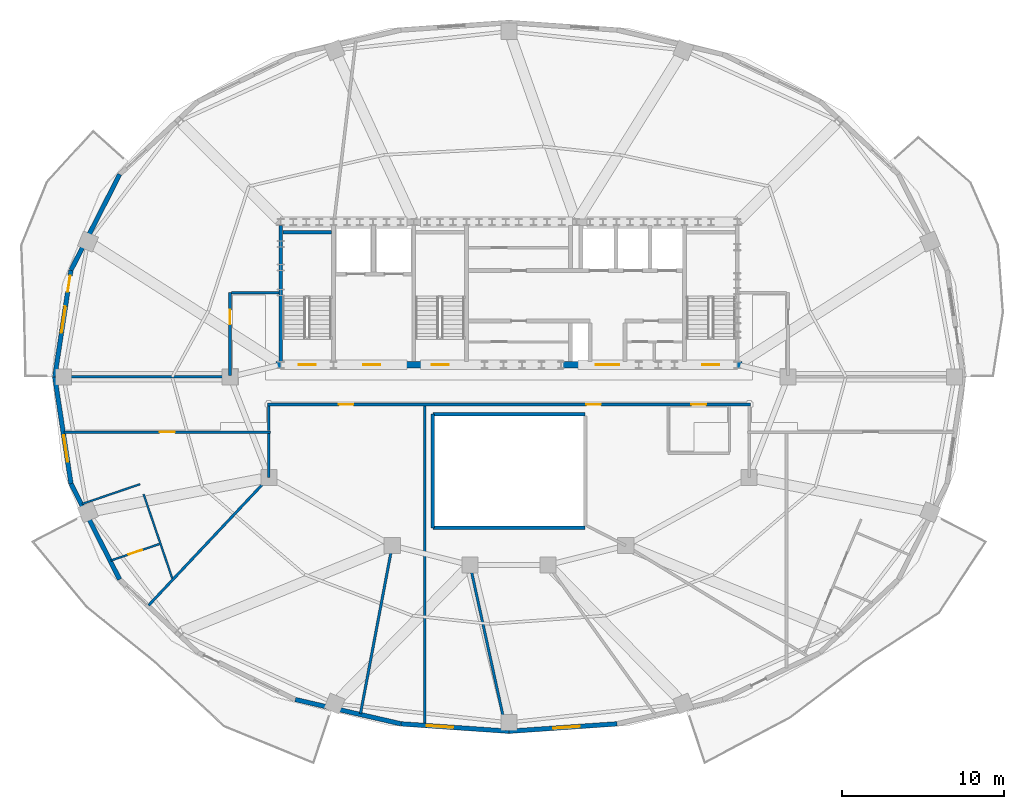
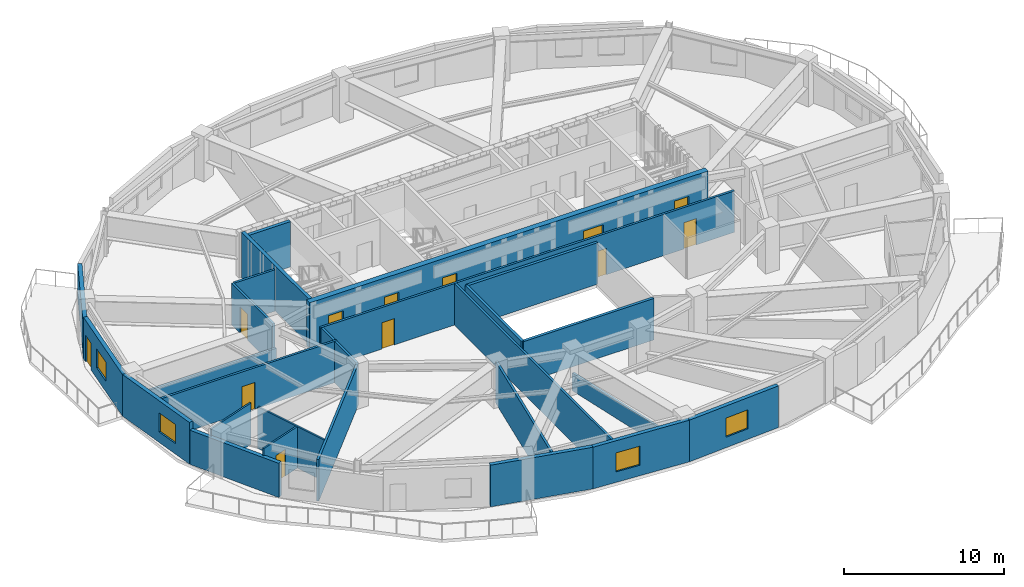
# One storey, part 4 of 12: 27 walls, 12 doors, 4 windows, 16 openings.
"""IFC4 building model written with IfcOpenShell, lengths in metres."""

from ifc_helpers import new_model, si_unit, direction, frame, frame_2d, origin, place, context, subcontext, project, spatial, rectangle, extrude, material, layer, layer_set, type_object, element, fill, save


model = new_model("IFC4")

# Units and contexts
model_context = context("Model", 3, precision=1e-05, world=origin(), true_north=direction((0.0, 1.0)))
body_context = subcontext(model_context, "Body", "Model", "MODEL_VIEW")
ifc_project = project(units=[si_unit("LENGTHUNIT", "METRE"), si_unit("AREAUNIT", "SQUARE_METRE"), si_unit("VOLUMEUNIT", "CUBIC_METRE"), si_unit("PLANEANGLEUNIT", "RADIAN"), si_unit("MASSUNIT", "GRAM", prefix="KILO")], contexts=[model_context])

# Site, building, storey
site_placement = place(None, origin())
site = spatial("IfcSite", under=ifc_project, at=site_placement, CompositionType="ELEMENT")
building_placement = place(site_placement, origin())
building = spatial("IfcBuilding", under=site, at=building_placement, Name="Haldorwick Loom Tower", CompositionType="ELEMENT")
storey_placement = place(building_placement, frame((0.0, 0.0, 237.449951171875)))
storey = spatial("IfcBuildingStorey", under=building, at=storey_placement, Name="L64", CompositionType="ELEMENT", Elevation=237.449951171875)

# Wall
ifc_material_1 = material(Name="Pressed Clay Face Brick and Insulated Masonry Backup Assembly", Category="masonry")
ifc_layer_1 = layer(ifc_material_1, 0.280029296875, Name="Pressed Clay Face Brick and Insulated Masonry Backup Assembly", Category="masonry")
ifc_layer_set_1 = layer_set([ifc_layer_1], Name="Pressed Clay Face Brick and Insulated Masonry Backup Assembly")
wall_type_1 = type_object("IfcWallType", Name="ARC-WL-EXT280", PredefinedType="STANDARD", material=ifc_layer_set_1)
wall_1_placement = place(storey_placement, frame((11.994384765625, 38.4853515625, 0.0), z_axis=(0.0, 0.0, 1.0), x_axis=(-0.453032066879, -0.89149422117, 0.0)))
element("IfcWall", 1, at=wall_1_placement, inside=storey, type_object=wall_type_1, Name="L64 Brick Pier and Spandrel Wall 11", PredefinedType="STANDARD", context=body_context, shape_type="SweptSolid", body=[
    extrude(rectangle(XDim=6.618896484375, YDim=0.280029296875, at=frame_2d((3.3095703125, 0.0))), origin(), (0.0, 0.0, 1.0), 2.60107421875),
])

# Wall, openings, door, window
wall_2_placement = place(storey_placement, frame((8.995849609375, 32.584716796875, 0.0), z_axis=(0.0, 0.0, 1.0), x_axis=(-0.150467697578, -0.988614926038, 0.0)))
wall_2 = element("IfcWall", 2, at=wall_2_placement, inside=storey, type_object=wall_type_1, Name="L64 Brick Pier and Spandrel Wall 12", PredefinedType="STANDARD", context=body_context, shape_type="SweptSolid", body=[
    extrude(rectangle(XDim=6.66064453125, YDim=0.280029296875, at=frame_2d((3.330322265625, 0.0))), origin(), (0.0, 0.0, 1.0), 3.170166015625),
])
opening_1_placement = place(wall_2_placement, frame((0.340087890625, 0.0, 0.0)))
opening_1 = element("IfcOpeningElement", 3, at=opening_1_placement, cuts=wall_2, Name="Opening D-BL10", PredefinedType="OPENING", context=body_context, shape_type="SweptSolid", body=[
    extrude(rectangle(XDim=1.0, YDim=2.0400390625, at=frame_2d((0.5, 1.02001953125))), frame((0.0, 0.14990234375, 0.0), z_axis=(0.0, -1.0, 0.0), x_axis=(1.0, 0.0, 0.0)), (0.0, 0.0, 1.0), 0.300048828125),
])
opening_2_placement = place(wall_2_placement, frame((2.2646484375, 0.0, 0.800048828125)))
opening_2 = element("IfcOpeningElement", 4, at=opening_2_placement, cuts=wall_2, Name="Opening W-01B", PredefinedType="OPENING", context=body_context, shape_type="SweptSolid", body=[
    extrude(rectangle(XDim=1.64990234375, YDim=1.449951171875, at=frame_2d((0.824951171875, 0.72509765625))), frame((0.0, 0.14990234375, 0.0), z_axis=(0.0, -1.0, 0.0), x_axis=(1.0, 0.0, 0.0)), (0.0, 0.0, 1.0), 0.300048828125),
])
ifc_material_2 = material(Name="Thermally Broken Anodized Aluminium Curtain Wall Framing", Category="aluminium")
door_type_1 = type_object("IfcDoorType", Name="ARC-DR-BAL100", OperationType="NOTDEFINED", PredefinedType="DOOR", material=ifc_material_2)
door_1_placement = place(opening_1_placement, origin())
door_1 = element("IfcDoor", 5, at=door_1_placement, inside=storey, type_object=door_type_1, Name="L64 Outdoor Terrace Door SLB-L64-BAL_WNW", OperationType="SINGLE_SWING_RIGHT", OverallHeight=2.0400390625, OverallWidth=1.0, PredefinedType="DOOR", context=body_context, shape_type="SweptSolid", body=[
    extrude(rectangle(XDim=1.0, YDim=2.0400390625, at=frame_2d((0.5, 1.02001953125))), frame((0.0, 0.02490234375, 0.0), z_axis=(0.0, -1.0, 0.0), x_axis=(1.0, 0.0, 0.0)), (0.0, 0.0, 1.0), 0.050048828125),
])
fill(opening_1, door_1)
ifc_material_3 = material(Name="Triple-Glazed Low-E Argon Insulated Glazing Unit", Category="glass")
window_type = type_object("IfcWindowType", Name="ARC-WIN-W165", PartitioningType="SINGLE_PANEL", PredefinedType="WINDOW", material=ifc_material_3)
window_1_placement = place(opening_2_placement, origin())
window_1 = element("IfcWindow", 6, at=window_1_placement, inside=storey, type_object=window_type, Name="L64 Deep-Set Zone 7A Window 12", OverallHeight=1.449951171875, OverallWidth=1.64990234375, PartitioningType="SINGLE_PANEL", PredefinedType="WINDOW", context=body_context, shape_type="SweptSolid", body=[
    extrude(rectangle(XDim=1.64990234375, YDim=1.449951171875, at=frame_2d((0.824951171875, 0.72509765625))), frame((0.0, 0.030029296875, 0.0), z_axis=(0.0, -1.0, 0.0), x_axis=(1.0, 0.0, 0.0)), (0.0, 0.0, 1.0), 0.06005859375),
])
fill(opening_2, window_1)

# Wall, opening, window
wall_3_placement = place(storey_placement, frame((7.99365234375, 26.0, 0.0), z_axis=(0.0, 0.0, 1.0), x_axis=(0.150467697578, -0.988614926038, 0.0)))
wall_3 = element("IfcWall", 7, at=wall_3_placement, inside=storey, type_object=wall_type_1, Name="L64 Brick Pier and Spandrel Wall 13", PredefinedType="STANDARD", context=body_context, shape_type="SweptSolid", body=[
    extrude(rectangle(XDim=6.66064453125, YDim=0.280029296875, at=frame_2d((3.330322265625, 0.0))), origin(), (0.0, 0.0, 1.0), 3.170166015625),
])
opening_3_placement = place(wall_3_placement, frame((3.648193359375, 0.0, 0.800048828125)))
opening_3 = element("IfcOpeningElement", 8, at=opening_3_placement, cuts=wall_3, Name="Opening W-01B", PredefinedType="OPENING", context=body_context, shape_type="SweptSolid", body=[
    extrude(rectangle(XDim=1.64990234375, YDim=1.449951171875, at=frame_2d((0.824951171875, 0.72509765625))), frame((0.0, 0.14990234375, 0.0), z_axis=(0.0, -1.0, 0.0), x_axis=(1.0, 0.0, 0.0)), (0.0, 0.0, 1.0), 0.300048828125),
])
window_2_placement = place(opening_3_placement, origin())
window_2 = element("IfcWindow", 9, at=window_2_placement, inside=storey, type_object=window_type, Name="L64 Deep-Set Zone 7A Window 13", OverallHeight=1.449951171875, OverallWidth=1.64990234375, PartitioningType="SINGLE_PANEL", PredefinedType="WINDOW", context=body_context, shape_type="SweptSolid", body=[
    extrude(rectangle(XDim=1.64990234375, YDim=1.449951171875, at=frame_2d((0.824951171875, 0.72509765625))), frame((0.0, 0.030029296875, 0.0), z_axis=(0.0, -1.0, 0.0), x_axis=(1.0, 0.0, 0.0)), (0.0, 0.0, 1.0), 0.06005859375),
])
fill(opening_3, window_2)

# Walls
wall_4_placement = place(storey_placement, frame((8.995849609375, 19.415283203125, 0.0), z_axis=(0.0, 0.0, 1.0), x_axis=(0.453032066879, -0.89149422117, 0.0)))
element("IfcWall", 10, at=wall_4_placement, inside=storey, type_object=wall_type_1, Name="L64 Brick Pier and Spandrel Wall 14", PredefinedType="STANDARD", context=body_context, shape_type="SweptSolid", body=[
    extrude(rectangle(XDim=6.618896484375, YDim=0.280029296875, at=frame_2d((3.3095703125, 0.0))), origin(), (0.0, 0.0, 1.0), 2.60107421875),
])
wall_5_placement = place(storey_placement, frame((22.82861328125, 6.109130859375, 0.0), z_axis=(0.0, 0.0, 1.0), x_axis=(0.974557343474, -0.224138315065, 0.0)))
element("IfcWall", 11, at=wall_5_placement, inside=storey, type_object=wall_type_1, Name="L64 Brick Pier and Spandrel Wall 17", PredefinedType="STANDARD", context=body_context, shape_type="SweptSolid", body=[
    extrude(rectangle(XDim=6.676025390625, YDim=0.280029296875, at=frame_2d((3.337890625, 0.0))), origin(), (0.0, 0.0, 1.0), 3.170166015625),
])

# Wall, opening, window
wall_6_placement = place(storey_placement, frame((29.334716796875, 4.61279296875, 0.0), z_axis=(0.0, 0.0, 1.0), x_axis=(0.99764992135, -0.068517402386, 0.0)))
wall_6 = element("IfcWall", 12, at=wall_6_placement, inside=storey, type_object=wall_type_1, Name="L64 Brick Pier and Spandrel Wall 18", PredefinedType="STANDARD", context=body_context, shape_type="SweptSolid", body=[
    extrude(rectangle(XDim=6.680908203125, YDim=0.280029296875, at=frame_2d((3.34033203125, 0.0))), origin(), (0.0, 0.0, 1.0), 3.170166015625),
])
opening_4_placement = place(wall_6_placement, frame((1.591796875, 0.0, 0.800048828125)))
opening_4 = element("IfcOpeningElement", 13, at=opening_4_placement, cuts=wall_6, Name="Opening W-01B", PredefinedType="OPENING", context=body_context, shape_type="SweptSolid", body=[
    extrude(rectangle(XDim=1.64990234375, YDim=1.449951171875, at=frame_2d((0.824951171875, 0.72509765625))), frame((0.0, 0.14990234375, 0.0), z_axis=(0.0, -1.0, 0.0), x_axis=(1.0, 0.0, 0.0)), (0.0, 0.0, 1.0), 0.300048828125),
])
window_3_placement = place(opening_4_placement, origin())
window_3 = element("IfcWindow", 14, at=window_3_placement, inside=storey, type_object=window_type, Name="L64 Deep-Set Zone 7A Window 18", OverallHeight=1.449951171875, OverallWidth=1.64990234375, PartitioningType="SINGLE_PANEL", PredefinedType="WINDOW", context=body_context, shape_type="SweptSolid", body=[
    extrude(rectangle(XDim=1.64990234375, YDim=1.449951171875, at=frame_2d((0.824951171875, 0.72509765625))), frame((0.0, 0.030029296875, 0.0), z_axis=(0.0, -1.0, 0.0), x_axis=(1.0, 0.0, 0.0)), (0.0, 0.0, 1.0), 0.06005859375),
])
fill(opening_4, window_3)

wall_7_placement = place(storey_placement, frame((36.0, 4.155029296875, 0.0), z_axis=(0.0, 0.0, 1.0), x_axis=(0.99764992135, 0.068517402386, 0.0)))
wall_7 = element("IfcWall", 15, at=wall_7_placement, inside=storey, type_object=wall_type_1, Name="L64 Brick Pier and Spandrel Wall 19", PredefinedType="STANDARD", context=body_context, shape_type="SweptSolid", body=[
    extrude(rectangle(XDim=6.680908203125, YDim=0.280029296875, at=frame_2d((3.34033203125, 0.0))), origin(), (0.0, 0.0, 1.0), 3.170166015625),
])
opening_5_placement = place(wall_7_placement, frame((2.72412109375, 0.0, 0.800048828125)))
opening_5 = element("IfcOpeningElement", 16, at=opening_5_placement, cuts=wall_7, Name="Opening W-01B", PredefinedType="OPENING", context=body_context, shape_type="SweptSolid", body=[
    extrude(rectangle(XDim=1.64990234375, YDim=1.449951171875, at=frame_2d((0.824951171875, 0.72509765625))), frame((0.0, 0.14990234375, 0.0), z_axis=(0.0, -1.0, 0.0), x_axis=(1.0, 0.0, 0.0)), (0.0, 0.0, 1.0), 0.300048828125),
])
window_4_placement = place(opening_5_placement, origin())
window_4 = element("IfcWindow", 17, at=window_4_placement, inside=storey, type_object=window_type, Name="L64 Deep-Set Zone 7A Window 19", OverallHeight=1.449951171875, OverallWidth=1.64990234375, PartitioningType="SINGLE_PANEL", PredefinedType="WINDOW", context=body_context, shape_type="SweptSolid", body=[
    extrude(rectangle(XDim=1.64990234375, YDim=1.449951171875, at=frame_2d((0.824951171875, 0.72509765625))), frame((0.0, 0.030029296875, 0.0), z_axis=(0.0, -1.0, 0.0), x_axis=(1.0, 0.0, 0.0)), (0.0, 0.0, 1.0), 0.06005859375),
])
fill(opening_5, window_4)

# Wall, openings, doors
ifc_material_4 = material(Name="Fire-Rated Type X Gypsum Stud Assembly EI 60")
ifc_layer_2 = layer(ifc_material_4, 0.159912109375, Name="Fire-Rated Type X Gypsum Stud Assembly EI 60")
ifc_layer_set_2 = layer_set([ifc_layer_2], Name="Fire-Rated Type X Gypsum Stud Assembly EI 60")
wall_type_2 = type_object("IfcWallType", Name="ARC-WL-FIRE160", PredefinedType="PARTITIONING", material=ifc_layer_set_2)
wall_8_placement = place(storey_placement, frame((21.10009765625, 24.300048828125, 0.0), z_axis=(0.0, 0.0, 1.0), x_axis=(1.0, 0.0, 0.0)))
wall_8 = element("IfcWall", 18, at=wall_8_placement, inside=storey, type_object=wall_type_2, Name="L64 Residential Fire Partition L64-CR-SP", PredefinedType="PARTITIONING", context=body_context, shape_type="SweptSolid", body=[
    extrude(rectangle(XDim=29.7998046875, YDim=0.159912109375, at=frame_2d((14.89990234375, 0.0))), origin(), (0.0, 0.0, 1.0), 3.155029296875),
])
opening_6_placement = place(wall_8_placement, frame((19.66748046875, 0.0, 0.0)))
opening_6 = element("IfcOpeningElement", 19, at=opening_6_placement, cuts=wall_8, Name="Opening D-FD60A", PredefinedType="OPENING", context=body_context, shape_type="SweptSolid", body=[
    extrude(rectangle(XDim=0.89990234375, YDim=2.0, at=frame_2d((0.449951171875, 1.0))), frame((0.0, 0.08984375, 0.0), z_axis=(0.0, -1.0, 0.0), x_axis=(1.0, 0.0, 0.0)), (0.0, 0.0, 1.0), 0.179931640625),
])
opening_7_placement = place(wall_8_placement, frame((4.40625, 0.0, 0.0)))
opening_7 = element("IfcOpeningElement", 20, at=opening_7_placement, cuts=wall_8, Name="Opening D-FD60A", PredefinedType="OPENING", context=body_context, shape_type="SweptSolid", body=[
    extrude(rectangle(XDim=0.89990234375, YDim=2.0, at=frame_2d((0.449951171875, 1.0))), frame((0.0, 0.08984375, 0.0), z_axis=(0.0, -1.0, 0.0), x_axis=(1.0, 0.0, 0.0)), (0.0, 0.0, 1.0), 0.179931640625),
])
opening_8_placement = place(wall_8_placement, frame((26.1494140625, 0.0, 0.0)))
opening_8 = element("IfcOpeningElement", 21, at=opening_8_placement, cuts=wall_8, Name="Opening D-FD60A", PredefinedType="OPENING", context=body_context, shape_type="SweptSolid", body=[
    extrude(rectangle(XDim=0.89990234375, YDim=2.0, at=frame_2d((0.449951171875, 1.0))), frame((0.0, 0.08984375, 0.0), z_axis=(0.0, -1.0, 0.0), x_axis=(1.0, 0.0, 0.0)), (0.0, 0.0, 1.0), 0.179931640625),
])
ifc_material_5 = material(Name="Hollow Steel Fire Door Assembly", Category="steel")
door_type_2 = type_object("IfcDoorType", Name="ARC-DR-FD60-90", OperationType="NOTDEFINED", PredefinedType="DOOR", material=ifc_material_5)
door_2_placement = place(opening_6_placement, origin())
door_2 = element("IfcDoor", 22, at=door_2_placement, inside=storey, type_object=door_type_2, Name="L64 L64 Central Residential Corridor to Shared Resident Dining Hall 5 Do", OperationType="SINGLE_SWING_LEFT", OverallHeight=2.0, OverallWidth=0.89990234375, PredefinedType="DOOR", context=body_context, shape_type="SweptSolid", body=[
    extrude(rectangle(XDim=0.89990234375, YDim=2.0, at=frame_2d((0.449951171875, 1.0))), frame((0.0, 0.02490234375, 0.0), z_axis=(0.0, -1.0, 0.0), x_axis=(1.0, 0.0, 0.0)), (0.0, 0.0, 1.0), 0.050048828125),
])
fill(opening_6, door_2)
door_3_placement = place(opening_7_placement, origin())
door_3 = element("IfcDoor", 23, at=door_3_placement, inside=storey, type_object=door_type_2, Name="L64 L64 Central Residential Corridor to Shared Resident Dining Hall 1 Do", OperationType="SINGLE_SWING_RIGHT", OverallHeight=2.0, OverallWidth=0.89990234375, PredefinedType="DOOR", context=body_context, shape_type="SweptSolid", body=[
    extrude(rectangle(XDim=0.89990234375, YDim=2.0, at=frame_2d((0.449951171875, 1.0))), frame((0.0, 0.02490234375, 0.0), z_axis=(0.0, -1.0, 0.0), x_axis=(1.0, 0.0, 0.0)), (0.0, 0.0, 1.0), 0.050048828125),
])
fill(opening_7, door_3)
door_4_placement = place(opening_8_placement, origin())
door_4 = element("IfcDoor", 24, at=door_4_placement, inside=storey, type_object=door_type_2, Name="L64 L64 Central Residential Corridor to Common Accessible WC Door", OperationType="SINGLE_SWING_RIGHT", OverallHeight=2.0, OverallWidth=0.89990234375, PredefinedType="DOOR", context=body_context, shape_type="SweptSolid", body=[
    extrude(rectangle(XDim=0.89990234375, YDim=2.0, at=frame_2d((0.449951171875, 1.0))), frame((0.0, 0.02490234375, 0.0), z_axis=(0.0, -1.0, 0.0), x_axis=(1.0, 0.0, 0.0)), (0.0, 0.0, 1.0), 0.050048828125),
])
fill(opening_8, door_4)

# Wall, opening, door
wall_9_placement = place(storey_placement, frame((8.556640625, 22.60009765625, 0.0), z_axis=(0.0, 0.0, 1.0), x_axis=(1.0, 0.0, 0.0)))
wall_9 = element("IfcWall", 25, at=wall_9_placement, inside=storey, type_object=wall_type_2, Name="L64 Residential Fire Partition L64-CR-SPW", PredefinedType="PARTITIONING", context=body_context, shape_type="SweptSolid", body=[
    extrude(rectangle(XDim=12.743408203125, YDim=0.159912109375, at=frame_2d((6.37158203125, 0.0))), origin(), (0.0, 0.0, 1.0), 3.155029296875),
])
opening_9_placement = place(wall_9_placement, frame((5.896728515625, 0.0, 0.0)))
opening_9 = element("IfcOpeningElement", 26, at=opening_9_placement, cuts=wall_9, Name="Opening D-FL95", PredefinedType="OPENING", context=body_context, shape_type="SweptSolid", body=[
    extrude(rectangle(XDim=0.949951171875, YDim=2.0400390625, at=frame_2d((0.47509765625, 1.02001953125))), frame((0.0, 0.08984375, 0.0), z_axis=(0.0, -1.0, 0.0), x_axis=(1.0, 0.0, 0.0)), (0.0, 0.0, 1.0), 0.179931640625),
])
ifc_material_6 = material(Name="Solid Core Birch Architectural Door")
door_type_3 = type_object("IfcDoorType", Name="ARC-DR-FLAT95", OperationType="NOTDEFINED", PredefinedType="DOOR", material=ifc_material_6)
door_5_placement = place(opening_9_placement, origin())
door_5 = element("IfcDoor", 27, at=door_5_placement, inside=storey, type_object=door_type_3, Name="L64 L64 Central Residential Corridor to Unit 64A Kitchen and Studio Livi", OperationType="SINGLE_SWING_RIGHT", OverallHeight=2.0400390625, OverallWidth=0.949951171875, PredefinedType="DOOR", context=body_context, shape_type="SweptSolid", body=[
    extrude(rectangle(XDim=0.949951171875, YDim=2.0400390625, at=frame_2d((0.47509765625, 1.02001953125))), frame((0.0, 0.02490234375, 0.0), z_axis=(0.0, -1.0, 0.0), x_axis=(1.0, 0.0, 0.0)), (0.0, 0.0, 1.0), 0.050048828125),
])
fill(opening_9, door_5)

# Walls
wall_10_placement = place(storey_placement, frame((21.199951171875, 22.68310546875, 0.0), z_axis=(0.0, 0.0, 1.0), x_axis=(0.0, 1.0, 0.0)))
element("IfcWall", 28, at=wall_10_placement, inside=storey, type_object=wall_type_2, Name="L64 Residential Fire Partition L64-CR-STW", PredefinedType="PARTITIONING", context=body_context, shape_type="SweptSolid", body=[
    extrude(rectangle(XDim=1.533935546875, YDim=0.159912109375, at=frame_2d((0.76708984375, 0.0))), origin(), (0.0, 0.0, 1.0), 3.155029296875),
])
wall_11_placement = place(storey_placement, frame((8.0400390625, 26.0, 0.0), z_axis=(0.0, 0.0, 1.0), x_axis=(1.0, 0.0, 0.0)))
element("IfcWall", 29, at=wall_11_placement, inside=storey, type_object=wall_type_2, Name="L64 Residential Fire Partition L64-CR-NWL", PredefinedType="PARTITIONING", context=body_context, shape_type="SweptSolid", body=[
    extrude(rectangle(XDim=10.85986328125, YDim=0.159912109375, at=frame_2d((5.429931640625, 0.0))), origin(), (0.0, 0.0, 1.0), 1.344970703125),
])

# Wall, opening, door
wall_12_placement = place(storey_placement, frame((18.800048828125, 26.0830078125, 0.0), z_axis=(0.0, 0.0, 1.0), x_axis=(0.0, 1.0, 0.0)))
wall_12 = element("IfcWall", 30, at=wall_12_placement, inside=storey, type_object=wall_type_2, Name="L64 Residential Fire Partition L64-CR-W0", PredefinedType="PARTITIONING", context=body_context, shape_type="SweptSolid", body=[
    extrude(rectangle(XDim=5.116943359375, YDim=0.159912109375, at=frame_2d((2.55859375, 0.0))), origin(), (0.0, 0.0, 1.0), 3.155029296875),
])
opening_10_placement = place(wall_12_placement, frame((3.15771484375, 0.0, 0.0)))
opening_10 = element("IfcOpeningElement", 31, at=opening_10_placement, cuts=wall_12, Name="Opening D-FD60A", PredefinedType="OPENING", context=body_context, shape_type="SweptSolid", body=[
    extrude(rectangle(XDim=0.89990234375, YDim=2.0, at=frame_2d((0.449951171875, 1.0))), frame((0.0, 0.08984375, 0.0), z_axis=(0.0, -1.0, 0.0), x_axis=(1.0, 0.0, 0.0)), (0.0, 0.0, 1.0), 0.179931640625),
])
door_6_placement = place(opening_10_placement, frame((0.89990234375, 0.0, 0.0), z_axis=(0.0, 0.0, 1.0), x_axis=(-1.0, 0.0, 0.0)))
door_6 = element("IfcDoor", 32, at=door_6_placement, inside=storey, type_object=door_type_2, Name="L64 Shared Resident Dining Hall 3 to L64 Central Residential Corridor Do", OperationType="SINGLE_SWING_LEFT", OverallHeight=2.0, OverallWidth=0.89990234375, PredefinedType="DOOR", context=body_context, shape_type="SweptSolid", body=[
    extrude(rectangle(XDim=0.89990234375, YDim=2.0, at=frame_2d((0.449951171875, 1.0))), frame((0.0, 0.02490234375, 0.0), z_axis=(0.0, -1.0, 0.0), x_axis=(1.0, 0.0, 0.0)), (0.0, 0.0, 1.0), 0.050048828125),
])
fill(opening_10, door_6)

# Walls
wall_13_placement = place(storey_placement, frame((18.883056640625, 31.199951171875, 0.0), z_axis=(0.0, 0.0, 1.0), x_axis=(1.0, 0.0, 0.0)))
element("IfcWall", 33, at=wall_13_placement, inside=storey, type_object=wall_type_2, Name="L64 Residential Fire Partition L64-CR-WNJ", PredefinedType="PARTITIONING", context=body_context, shape_type="SweptSolid", body=[
    extrude(rectangle(XDim=2.923828125, YDim=0.159912109375, at=frame_2d((1.4619140625, 0.0))), origin(), (0.0, 0.0, 1.0), 3.155029296875),
])
wall_14_placement = place(storey_placement, frame((33.60009765625, 14.39990234375, 0.0), z_axis=(0.0, 0.0, 1.0), x_axis=(0.213200395835, -0.977008490862, 0.0)))
element("IfcWall", 34, at=wall_14_placement, inside=storey, type_object=wall_type_2, Name="L64 Residential Fire Partition L64-ICR-07", PredefinedType="PARTITIONING", context=body_context, shape_type="SweptSolid", body=[
    extrude(rectangle(XDim=10.427490234375, YDim=0.159912109375, at=frame_2d((5.2138671875, 0.0))), origin(), (0.0, 0.0, 1.0), 1.344970703125),
])
wall_15_placement = place(storey_placement, frame((28.800048828125, 15.60009765625, 0.0), z_axis=(0.0, 0.0, 1.0), x_axis=(-0.185598830939, -0.982625602126, 0.0)))
element("IfcWall", 35, at=wall_15_placement, inside=storey, type_object=wall_type_2, Name="L64 Residential Fire Partition L64-ICR-09", PredefinedType="PARTITIONING", context=body_context, shape_type="SweptSolid", body=[
    extrude(rectangle(XDim=10.551025390625, YDim=0.159912109375, at=frame_2d((5.275390625, 0.0))), origin(), (0.0, 0.0, 1.0), 3.155029296875),
])
wall_16_placement = place(storey_placement, frame((21.199951171875, 19.800048828125, 0.0), z_axis=(0.0, 0.0, 1.0), x_axis=(-0.685433615375, -0.728135124076, 0.0)))
element("IfcWall", 36, at=wall_16_placement, inside=storey, type_object=wall_type_2, Name="L64 Residential Fire Partition L64-ICR-11", PredefinedType="PARTITIONING", context=body_context, shape_type="SweptSolid", body=[
    extrude(rectangle(XDim=10.82861328125, YDim=0.159912109375, at=frame_2d((5.414306640625, 0.0))), origin(), (0.0, 0.0, 1.0), 3.155029296875),
])
wall_17_placement = place(storey_placement, frame((30.800048828125, 4.557373046875, 0.0), z_axis=(0.0, 0.0, 1.0), x_axis=(0.0, 1.0, 0.0)))
element("IfcWall", 37, at=wall_17_placement, inside=storey, type_object=wall_type_2, Name="L64 Residential Fire Partition L64-SBP-0", PredefinedType="PARTITIONING", context=body_context, shape_type="SweptSolid", body=[
    extrude(rectangle(XDim=19.65966796875, YDim=0.159912109375, at=frame_2d((9.829833984375, 0.0))), origin(), (0.0, 0.0, 1.0), 3.155029296875),
])
wall_18_placement = place(storey_placement, frame((21.199951171875, 22.51708984375, 0.0), z_axis=(0.0, 0.0, 1.0), x_axis=(0.0, -1.0, 0.0)))
element("IfcWall", 38, at=wall_18_placement, inside=storey, type_object=wall_type_2, Name="L64 Residential Fire Partition L64-ICA-10", PredefinedType="PARTITIONING", context=body_context, shape_type="SweptSolid", body=[
    extrude(rectangle(XDim=2.717041015625, YDim=0.159912109375, at=frame_2d((1.3583984375, 0.0))), origin(), (0.0, 0.0, 1.0), 3.155029296875),
])
ifc_material_7 = material(Name="Fire-Rated Type X Gypsum Stud Assembly EI 120")
ifc_layer_3 = layer(ifc_material_7, 0.199951171875, Name="Fire-Rated Type X Gypsum Stud Assembly EI 120")
ifc_layer_set_3 = layer_set([ifc_layer_3], Name="Fire-Rated Type X Gypsum Stud Assembly EI 120")
wall_type_3 = type_object("IfcWallType", Name="ARC-WL-FIRE200", PredefinedType="PARTITIONING", material=ifc_layer_set_3)
for number, where, z_axis, x_axis, name in (
    (39, (31.300048828125, 23.699951171875, 0.0), (0.0, 0.0, 1.0), (1.0, 0.0, 0.0), "L64 Atrium Fire Enclosure Wall N"),
    (40, (40.699951171875, 16.699951171875, 0.0), (0.0, 0.0, 1.0), (-1.0, 0.0, 0.0), "L64 Atrium Fire Enclosure Wall S"),
):
    element("IfcWall", number, at=place(storey_placement, frame(where, z_axis=z_axis, x_axis=x_axis)), inside=storey, type_object=wall_type_3, Name=name, PredefinedType="PARTITIONING", context=body_context, shape_type="SweptSolid", body=[
        extrude(rectangle(XDim=9.39990234375, YDim=0.199951171875, at=frame_2d((4.699951171875, 0.0))), origin(), (0.0, 0.0, 1.0), 3.155029296875),
    ])
wall_19_placement = place(storey_placement, frame((31.300048828125, 16.699951171875, 0.0), z_axis=(0.0, 0.0, 1.0), x_axis=(0.0, 1.0, 0.0)))
element("IfcWall", 41, at=wall_19_placement, inside=storey, type_object=wall_type_3, Name="L64 Atrium Fire Enclosure Wall W", PredefinedType="PARTITIONING", context=body_context, shape_type="SweptSolid", body=[
    extrude(rectangle(XDim=7.0, YDim=0.199951171875, at=frame_2d((3.5, 0.0))), origin(), (0.0, 0.0, 1.0), 3.155029296875),
])
ifc_material_8 = material(Name="Acoustic Gypsum Stud Assembly STC 55")
ifc_layer_4 = layer(ifc_material_8, 0.1201171875, Name="Acoustic Gypsum Stud Assembly STC 55")
ifc_layer_set_4 = layer_set([ifc_layer_4], Name="Acoustic Gypsum Stud Assembly STC 55")
wall_type_4 = type_object("IfcWallType", Name="ARC-WL-PART120", PredefinedType="PARTITIONING", material=ifc_layer_set_4)
wall_20_placement = place(storey_placement, frame((13.4697265625, 18.771240234375, 0.0), z_axis=(0.0, 0.0, 1.0), x_axis=(0.322772854854, -0.946476457272, 0.0)))
element("IfcWall", 42, at=wall_20_placement, inside=storey, type_object=wall_type_4, Name="L64 Unit 64A Interior Partition", PredefinedType="PARTITIONING", context=body_context, shape_type="SweptSolid", body=[
    extrude(rectangle(XDim=5.47705078125, YDim=0.1201171875, at=frame_2d((2.738525390625, 0.0))), origin(), (0.0, 0.0, 1.0), 3.155029296875),
])
wall_21_placement = place(storey_placement, frame((13.25927734375, 19.388671875, 0.0), z_axis=(0.0, 0.0, 1.0), x_axis=(-0.946485089326, -0.322747541715, 0.0)))
element("IfcWall", 43, at=wall_21_placement, inside=storey, type_object=wall_type_4, Name="L64 Unit 64A Interior Partition", PredefinedType="PARTITIONING", context=body_context, shape_type="SweptSolid", body=[
    extrude(rectangle(XDim=3.781494140625, YDim=0.1201171875, at=frame_2d((1.890625, 0.0))), origin(), (0.0, 0.0, 1.0), 3.155029296875),
])

# Wall, opening, door
wall_22_placement = place(storey_placement, frame((14.4501953125, 15.700927734375, 0.0), z_axis=(0.0, 0.0, 1.0), x_axis=(-0.946463084056, -0.322812066874, 0.0)))
wall_22 = element("IfcWall", 44, at=wall_22_placement, inside=storey, type_object=wall_type_4, Name="L64 Unit 64A Interior Partition", PredefinedType="PARTITIONING", context=body_context, shape_type="SweptSolid", body=[
    extrude(rectangle(XDim=3.16650390625, YDim=0.1201171875, at=frame_2d((1.583251953125, 0.0))), origin(), (0.0, 0.0, 1.0), 3.155029296875),
])
opening_11_placement = place(wall_22_placement, frame((1.143310546875, 0.0, 0.0)))
opening_11 = element("IfcOpeningElement", 45, at=opening_11_placement, cuts=wall_22, Name="Opening D-BT88", PredefinedType="OPENING", context=body_context, shape_type="SweptSolid", body=[
    extrude(rectangle(XDim=0.8798828125, YDim=2.02001953125, at=frame_2d((0.43994140625, 1.010009765625))), frame((0.0, 0.070068359375, 0.0), z_axis=(0.0, -1.0, 0.0), x_axis=(1.0, 0.0, 0.0)), (0.0, 0.0, 1.0), 0.14013671875),
])
door_type_4 = type_object("IfcDoorType", Name="ARC-DR-BATH88", OperationType="NOTDEFINED", PredefinedType="DOOR", material=ifc_material_6)
door_7_placement = place(opening_11_placement, origin())
door_7 = element("IfcDoor", 46, at=door_7_placement, inside=storey, type_object=door_type_4, Name="L64 Unit 64A Bathroom to Unit 64A Kitchen and Studio Living Room Door", OperationType="SINGLE_SWING_RIGHT", OverallHeight=2.02001953125, OverallWidth=0.8798828125, PredefinedType="DOOR", context=body_context, shape_type="SweptSolid", body=[
    extrude(rectangle(XDim=0.8798828125, YDim=2.02001953125, at=frame_2d((0.43994140625, 1.010009765625))), frame((0.0, 0.02490234375, 0.0), z_axis=(0.0, -1.0, 0.0), x_axis=(1.0, 0.0, 0.0)), (0.0, 0.0, 1.0), 0.050048828125),
])
fill(opening_11, door_7)

# Wall, openings, doors
ifc_material_9 = material(Name="Concrete C50 (50 MPa)", Category="concrete")
ifc_layer_5 = layer(ifc_material_9, 0.39990234375, Name="Concrete C50 (50 MPa)", Category="concrete")
ifc_layer_set_5 = layer_set([ifc_layer_5], Name="Concrete C50 (50 MPa)")
wall_type_5 = type_object("IfcWallType", Name="STR-WL-CORE400", PredefinedType="SHEAR", material=ifc_layer_set_5)
wall_23_placement = place(storey_placement, frame((21.64990234375, 26.75, 0.0), z_axis=(0.0, 0.0, 1.0), x_axis=(1.0, 0.0, 0.0)))
wall_23 = element("IfcWall", 47, at=wall_23_placement, inside=storey, type_object=wall_type_5, Name="L64 Core Shear Wall S", PredefinedType="SHEAR", context=body_context, shape_type="SweptSolid", body=[
    extrude(rectangle(XDim=28.7001953125, YDim=0.39990234375, at=frame_2d((14.35009765625, 0.0))), origin(), (0.0, 0.0, 1.0), 3.449951171875),
])
opening_12_placement = place(wall_23_placement, frame((1.375, 0.0, 0.0)))
opening_12 = element("IfcOpeningElement", 48, at=opening_12_placement, cuts=wall_23, Name="Opening D-FD60", PredefinedType="OPENING", context=body_context, shape_type="SweptSolid", body=[
    extrude(rectangle(XDim=1.050048828125, YDim=2.0, at=frame_2d((0.52490234375, 1.0))), frame((0.0, 0.2099609375, 0.0), z_axis=(0.0, -1.0, 0.0), x_axis=(1.0, 0.0, 0.0)), (0.0, 0.0, 1.0), 0.419921875),
])
opening_13_placement = place(wall_23_placement, frame((5.375, 0.0, 0.0)))
opening_13 = element("IfcOpeningElement", 49, at=opening_13_placement, cuts=wall_23, Name="Opening D-FD60", PredefinedType="OPENING", context=body_context, shape_type="SweptSolid", body=[
    extrude(rectangle(XDim=1.050048828125, YDim=2.0, at=frame_2d((0.52490234375, 1.0))), frame((0.0, 0.2099609375, 0.0), z_axis=(0.0, -1.0, 0.0), x_axis=(1.0, 0.0, 0.0)), (0.0, 0.0, 1.0), 0.419921875),
])
opening_14_placement = place(wall_23_placement, frame((9.574951171875, 0.0, 0.0)))
opening_14 = element("IfcOpeningElement", 50, at=opening_14_placement, cuts=wall_23, Name="Opening D-FD60", PredefinedType="OPENING", context=body_context, shape_type="SweptSolid", body=[
    extrude(rectangle(XDim=1.050048828125, YDim=2.0, at=frame_2d((0.52490234375, 1.0))), frame((0.0, 0.2099609375, 0.0), z_axis=(0.0, -1.0, 0.0), x_axis=(1.0, 0.0, 0.0)), (0.0, 0.0, 1.0), 0.419921875),
])
opening_15_placement = place(wall_23_placement, frame((19.705078125, 0.0, 0.0)))
opening_15 = element("IfcOpeningElement", 51, at=opening_15_placement, cuts=wall_23, Name="Opening D-LB15", PredefinedType="OPENING", context=body_context, shape_type="SweptSolid", body=[
    extrude(rectangle(XDim=1.449951171875, YDim=2.0, at=frame_2d((0.72509765625, 1.0))), frame((0.0, 0.2099609375, 0.0), z_axis=(0.0, -1.0, 0.0), x_axis=(1.0, 0.0, 0.0)), (0.0, 0.0, 1.0), 0.419921875),
])
opening_16_placement = place(wall_23_placement, frame((26.27490234375, 0.0, 0.0)))
opening_16 = element("IfcOpeningElement", 52, at=opening_16_placement, cuts=wall_23, Name="Opening D-FD60", PredefinedType="OPENING", context=body_context, shape_type="SweptSolid", body=[
    extrude(rectangle(XDim=1.050048828125, YDim=2.0, at=frame_2d((0.52490234375, 1.0))), frame((0.0, 0.2099609375, 0.0), z_axis=(0.0, -1.0, 0.0), x_axis=(1.0, 0.0, 0.0)), (0.0, 0.0, 1.0), 0.419921875),
])
door_type_5 = type_object("IfcDoorType", Name="ARC-DR-FD60", OperationType="NOTDEFINED", PredefinedType="DOOR", material=ifc_material_5)
door_8_placement = place(opening_12_placement, origin())
door_8 = element("IfcDoor", 53, at=door_8_placement, inside=storey, type_object=door_type_5, Name="L64 Exit Stair ST-01 Fire Door", OperationType="SINGLE_SWING_RIGHT", OverallHeight=2.0, OverallWidth=1.050048828125, PredefinedType="DOOR", context=body_context, shape_type="SweptSolid", body=[
    extrude(rectangle(XDim=1.050048828125, YDim=2.0, at=frame_2d((0.52490234375, 1.0))), frame((0.0, 0.02490234375, 0.0), z_axis=(0.0, -1.0, 0.0), x_axis=(1.0, 0.0, 0.0)), (0.0, 0.0, 1.0), 0.050048828125),
])
fill(opening_12, door_8)
door_9_placement = place(opening_13_placement, origin())
door_9 = element("IfcDoor", 54, at=door_9_placement, inside=storey, type_object=door_type_5, Name="L64 Firefighting Lift Lobby Fire Door", OperationType="SINGLE_SWING_LEFT", OverallHeight=2.0, OverallWidth=1.050048828125, PredefinedType="DOOR", context=body_context, shape_type="SweptSolid", body=[
    extrude(rectangle(XDim=1.050048828125, YDim=2.0, at=frame_2d((0.52490234375, 1.0))), frame((0.0, 0.02490234375, 0.0), z_axis=(0.0, -1.0, 0.0), x_axis=(1.0, 0.0, 0.0)), (0.0, 0.0, 1.0), 0.050048828125),
])
fill(opening_13, door_9)
door_10_placement = place(opening_14_placement, origin())
door_10 = element("IfcDoor", 55, at=door_10_placement, inside=storey, type_object=door_type_5, Name="L64 Exit Stair ST-03 Fire Door", OperationType="SINGLE_SWING_LEFT", OverallHeight=2.0, OverallWidth=1.050048828125, PredefinedType="DOOR", context=body_context, shape_type="SweptSolid", body=[
    extrude(rectangle(XDim=1.050048828125, YDim=2.0, at=frame_2d((0.52490234375, 1.0))), frame((0.0, 0.02490234375, 0.0), z_axis=(0.0, -1.0, 0.0), x_axis=(1.0, 0.0, 0.0)), (0.0, 0.0, 1.0), 0.050048828125),
])
fill(opening_14, door_10)
door_11_placement = place(opening_16_placement, origin())
door_11 = element("IfcDoor", 56, at=door_11_placement, inside=storey, type_object=door_type_5, Name="L64 Exit Stair ST-02 Fire Door", OperationType="SINGLE_SWING_LEFT", OverallHeight=2.0, OverallWidth=1.050048828125, PredefinedType="DOOR", context=body_context, shape_type="SweptSolid", body=[
    extrude(rectangle(XDim=1.050048828125, YDim=2.0, at=frame_2d((0.52490234375, 1.0))), frame((0.0, 0.02490234375, 0.0), z_axis=(0.0, -1.0, 0.0), x_axis=(1.0, 0.0, 0.0)), (0.0, 0.0, 1.0), 0.050048828125),
])
fill(opening_16, door_11)
ifc_material_10 = material(Name="Thermally Broken Anodized Aluminium and Tempered Glass", Category="aluminium")
door_type_6 = type_object("IfcDoorType", Name="ARC-DR-LOB150", OperationType="NOTDEFINED", PredefinedType="DOOR", material=ifc_material_10)
door_12_placement = place(opening_15_placement, frame((1.449951171875, 0.0, 0.0), z_axis=(0.0, 0.0, 1.0), x_axis=(-1.0, 0.0, 0.0)))
door_12 = element("IfcDoor", 57, at=door_12_placement, inside=storey, type_object=door_type_6, Name="L64 Passenger Lift Lobby Fire Door", OperationType="DOUBLE_DOOR_SINGLE_SWING", OverallHeight=2.0, OverallWidth=1.449951171875, PredefinedType="DOOR", context=body_context, shape_type="SweptSolid", body=[
    extrude(rectangle(XDim=1.449951171875, YDim=2.0, at=frame_2d((0.72509765625, 1.0))), frame((0.0, 0.02490234375, 0.0), z_axis=(0.0, -1.0, 0.0), x_axis=(1.0, 0.0, 0.0)), (0.0, 0.0, 1.0), 0.050048828125),
])
fill(opening_15, door_12)

# Walls
ifc_layer_6 = layer(ifc_material_9, 0.239990234375, Name="Concrete C50 (50 MPa)", Category="concrete")
ifc_layer_set_6 = layer_set([ifc_layer_6], Name="Concrete C50 (50 MPa)")
wall_type_6 = type_object("IfcWallType", Name="STR-WL-SHAFT240", PredefinedType="SHEAR", material=ifc_layer_set_6)
wall_24_placement = place(storey_placement, frame((21.929931640625, 35.346923828125, 0.0), z_axis=(0.0, 0.0, 1.0), x_axis=(0.0, -1.0, 0.0)))
element("IfcWall", 58, at=wall_24_placement, inside=storey, type_object=wall_type_6, Name="L64 Core Shear Wall W", PredefinedType="SHEAR", context=body_context, shape_type="SweptSolid", body=[
    extrude(rectangle(XDim=8.39404296875, YDim=0.239990234375, at=frame_2d((4.197021484375, 0.0))), origin(), (0.0, 0.0, 1.0), 3.449951171875),
])
wall_25_placement = place(storey_placement, frame((22.052978515625, 34.919921875, 0.0), z_axis=(0.0, 0.0, 1.0), x_axis=(1.0, 0.0, 0.0)))
element("IfcWall", 59, at=wall_25_placement, inside=storey, type_object=wall_type_6, Name="L64 Core Shear Wall 1N", PredefinedType="SHEAR", context=body_context, shape_type="SweptSolid", body=[
    extrude(rectangle(XDim=2.994140625, YDim=0.239990234375, at=frame_2d((1.4970703125, 0.0))), origin(), (0.0, 0.0, 1.0), 3.449951171875),
])

save(model, "model.ifc")
